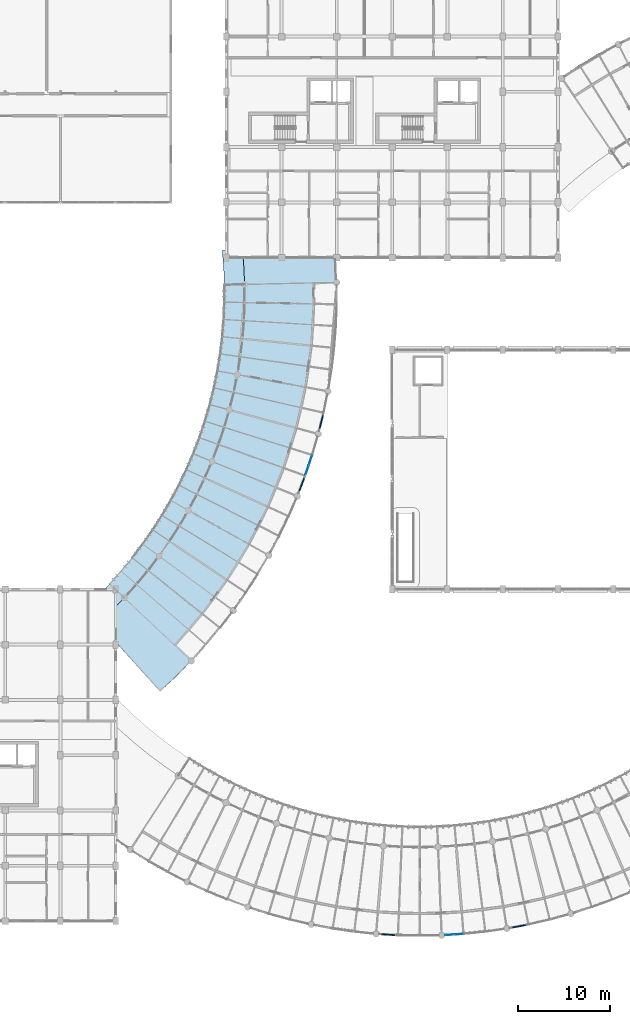
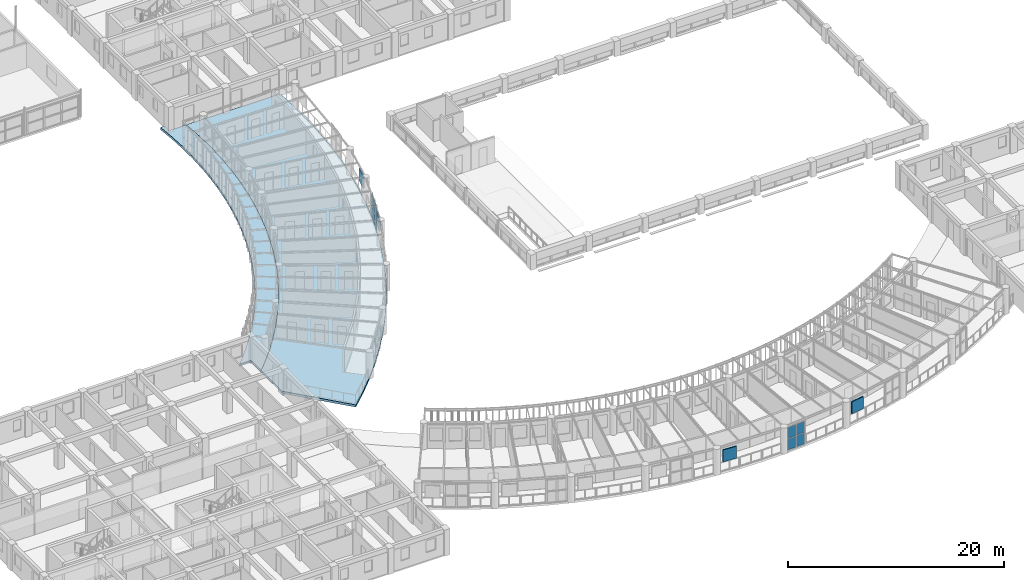
# One storey, part 76 of 137: 12 plates, 2 slabs, 2 elements without a shape of their own.
"""IFC4 building model written with IfcOpenShell, lengths in metres."""

from ifc_helpers import new_model, si_unit, direction, frame, origin, origin_2d, place, context, subcontext, project, spatial, polyline, rectangle, outline, extrude, material, layer, layer_set, type_object, element, aggregate, save


model = new_model("IFC4")

# Units and contexts
model_context = context("Model", 3, precision=1e-05, world=origin(), true_north=direction((0.0, 1.0)))
body_context = subcontext(model_context, "Body", "Model", "MODEL_VIEW")
ifc_project = project(units=[si_unit("LENGTHUNIT", "METRE"), si_unit("AREAUNIT", "SQUARE_METRE"), si_unit("VOLUMEUNIT", "CUBIC_METRE"), si_unit("PLANEANGLEUNIT", "RADIAN"), si_unit("MASSUNIT", "GRAM", prefix="KILO"), si_unit("POWERUNIT", "WATT"), si_unit("THERMODYNAMICTEMPERATUREUNIT", "KELVIN")], contexts=[model_context])

# Site, building, storey
site_placement = place(None, origin())
site = spatial("IfcSite", under=ifc_project, at=site_placement, CompositionType="ELEMENT")
building_placement = place(site_placement, origin())
building = spatial("IfcBuilding", under=site, at=building_placement, Name="Ruvembo Vaulted Housing Court", CompositionType="ELEMENT")
storey_placement = place(building_placement, frame((0.0, 0.0, 4.5)))
storey = spatial("IfcBuildingStorey", under=building, at=storey_placement, Name="L01", CompositionType="ELEMENT", Elevation=4.5)

# Curtain wall, plates
ifc_material_1 = material(Name="Anodised Aluminium and Solar-Control Glass", Category="aluminium")
ifc_layer_1 = layer(ifc_material_1, 0.139892578125, Name="Anodised Aluminium and Solar-Control Glass")
ifc_layer_set_1 = layer_set([ifc_layer_1], Name="Anodised Aluminium and Solar-Control Glass")
curtain_wall_type_1 = type_object("IfcCurtainWallType", Name="CW-SCOOP-PAN", PredefinedType="NOTDEFINED", material=ifc_layer_set_1)
curtain_wall_1_placement = place(storey_placement, origin())
curtain_wall_1 = element("IfcCurtainWall", 1, at=curtain_wall_1_placement, inside=storey, type_object=curtain_wall_type_1, Name="L01 Curtain Wall CW-L01-0011", PredefinedType="NOTDEFINED")
ifc_material_2 = material(Name="Solar-Control Laminated Insulating Glass", Category="glass")
ifc_layer_2 = layer(ifc_material_2, 0.028076171875, Name="Solar-Control Laminated Insulating Glass")
ifc_layer_set_2 = layer_set([ifc_layer_2], Name="Solar-Control Laminated Insulating Glass")
plate_type_1 = type_object("IfcPlateType", Name="CW-PANEL-GLAZED", PredefinedType="CURTAIN_PANEL", material=ifc_layer_set_2)
plate_1_placement = place(storey_placement, frame((56.764404296875, 54.927978515625, 0.06005859375), z_axis=(0.0, 0.0, 1.0), x_axis=(0.31983631808, 0.947472812083, 0.0)))
plate_1 = element("IfcPlate", 2, at=plate_1_placement, type_object=plate_type_1, Name="CW10 panel 1.1", PredefinedType="CURTAIN_PANEL", context=body_context, shape_type="SweptSolid", body=[
    extrude(rectangle(XDim=1.0556640625, YDim=0.028076171875, at=origin_2d()), origin(), (0.0, 0.0, 1.0), 1.259033203125),
])
plate_2_placement = place(storey_placement, frame((56.764404296875, 54.927978515625, 1.37890625), z_axis=(0.0, 0.0, 1.0), x_axis=(0.31983631808, 0.947472812083, 0.0)))
plate_2 = element("IfcPlate", 3, at=plate_2_placement, type_object=plate_type_1, Name="CW10 panel 1.2", PredefinedType="CURTAIN_PANEL", context=body_context, shape_type="SweptSolid", body=[
    extrude(rectangle(XDim=1.0556640625, YDim=0.028076171875, at=origin_2d()), origin(), (0.0, 0.0, 1.0), 1.259033203125),
])
plate_3_placement = place(storey_placement, frame((57.119873046875, 55.98046875, 0.06005859375), z_axis=(0.0, 0.0, 1.0), x_axis=(0.31983631808, 0.947472812083, 0.0)))
plate_3 = element("IfcPlate", 4, at=plate_3_placement, type_object=plate_type_1, Name="CW10 panel 2.1", PredefinedType="CURTAIN_PANEL", context=body_context, shape_type="SweptSolid", body=[
    extrude(rectangle(XDim=1.0556640625, YDim=0.028076171875, at=origin_2d()), origin(), (0.0, 0.0, 1.0), 1.259033203125),
])
plate_4_placement = place(storey_placement, frame((57.119873046875, 55.98046875, 1.37890625), z_axis=(0.0, 0.0, 1.0), x_axis=(0.31983631808, 0.947472812083, 0.0)))
plate_4 = element("IfcPlate", 5, at=plate_4_placement, type_object=plate_type_1, Name="CW10 panel 2.2", PredefinedType="CURTAIN_PANEL", context=body_context, shape_type="SweptSolid", body=[
    extrude(rectangle(XDim=1.0556640625, YDim=0.028076171875, at=origin_2d()), origin(), (0.0, 0.0, 1.0), 1.259033203125),
])
aggregate(curtain_wall_1, [plate_1, plate_2, plate_3, plate_4])

ifc_layer_3 = layer(ifc_material_1, 0.1201171875, Name="Anodised Aluminium and Solar-Control Glass")
ifc_layer_set_3 = layer_set([ifc_layer_3], Name="Anodised Aluminium and Solar-Control Glass")
curtain_wall_type_2 = type_object("IfcCurtainWallType", Name="CW-SCOOP-GAL", PredefinedType="NOTDEFINED", material=ifc_layer_set_3)
curtain_wall_2_placement = place(storey_placement, origin())
curtain_wall_2 = element("IfcCurtainWall", 6, at=curtain_wall_2_placement, inside=storey, type_object=curtain_wall_type_2, Name="L01 Curtain Wall CW-L01-0032", PredefinedType="NOTDEFINED")
plate_5_placement = place(storey_placement, frame((72.23291015625, 4.502197265625, 0.06005859375), z_axis=(0.0, 0.0, 1.0), x_axis=(0.998086104235, 0.061839538585, 0.0)))
plate_5 = element("IfcPlate", 7, at=plate_5_placement, type_object=plate_type_1, Name="CW6 panel 1.1", PredefinedType="CURTAIN_PANEL", context=body_context, shape_type="SweptSolid", body=[
    extrude(rectangle(XDim=0.89794921875, YDim=0.028076171875, at=origin_2d()), origin(), (0.0, 0.0, 1.0), 1.259033203125),
])
plate_6_placement = place(storey_placement, frame((72.23291015625, 4.502197265625, 1.37890625), z_axis=(0.0, 0.0, 1.0), x_axis=(0.998086104235, 0.061839538585, 0.0)))
plate_6 = element("IfcPlate", 8, at=plate_6_placement, type_object=plate_type_1, Name="CW6 panel 1.2", PredefinedType="CURTAIN_PANEL", context=body_context, shape_type="SweptSolid", body=[
    extrude(rectangle(XDim=0.89794921875, YDim=0.028076171875, at=origin_2d()), origin(), (0.0, 0.0, 1.0), 1.259033203125),
])
plate_7_placement = place(storey_placement, frame((73.18896484375, 4.561279296875, 0.06005859375), z_axis=(0.0, 0.0, 1.0), x_axis=(0.998086104235, 0.061839538585, 0.0)))
plate_7 = element("IfcPlate", 9, at=plate_7_placement, type_object=plate_type_1, Name="CW6 panel 2.1", PredefinedType="CURTAIN_PANEL", context=body_context, shape_type="SweptSolid", body=[
    extrude(rectangle(XDim=0.89794921875, YDim=0.028076171875, at=origin_2d()), origin(), (0.0, 0.0, 1.0), 1.259033203125),
])
plate_8_placement = place(storey_placement, frame((73.18896484375, 4.561279296875, 1.37890625), z_axis=(0.0, 0.0, 1.0), x_axis=(0.998086104235, 0.061839538585, 0.0)))
plate_8 = element("IfcPlate", 10, at=plate_8_placement, type_object=plate_type_1, Name="CW6 panel 2.2", PredefinedType="CURTAIN_PANEL", context=body_context, shape_type="SweptSolid", body=[
    extrude(rectangle(XDim=0.89794921875, YDim=0.028076171875, at=origin_2d()), origin(), (0.0, 0.0, 1.0), 1.259033203125),
])
aggregate(curtain_wall_2, [plate_5, plate_6, plate_7, plate_8])

# Plates
ifc_material_3 = material(Name="Perforated Glazed Ceramic Cobogo Block", Category="ceramic")
ifc_layer_4 = layer(ifc_material_3, 0.1201171875, Name="Perforated Glazed Ceramic Cobogo Block")
ifc_layer_set_4 = layer_set([ifc_layer_4], Name="Perforated Glazed Ceramic Cobogo Block")
plate_type_2 = type_object("IfcPlateType", Name="PL-COBOGO-120", PredefinedType="USERDEFINED", material=ifc_layer_set_4)
for number, where, z_axis, x_axis, name in (
    (11, (56.18994140625, 53.359130859375, 1.1201171875), (0.0, 0.0, 1.0), (0.358335361222, 0.93359293533, 0.0), "Scoop SC1 L01 Ceramic Cobogo Screen #4"),
    (12, (58.312255859375, 60.159912109375, 1.1201171875), (0.0, 0.0, 1.0), (0.241193628767, 0.970477013351, 0.0), "Scoop SC1 L01 Ceramic Cobogo Screen #5"),
    (13, (65.58837890625, 4.51318359375, 1.1201171875), (0.0, 0.0, 1.0), (0.998086543166, -0.061832453863, 0.0), "Scoop SC2 L01 Ceramic Cobogo Screen #35"),
    (14, (79.776611328125, 5.429443359375, 1.1201171875), (0.0, 0.0, 1.0), (0.982816353606, 0.184586064165, 0.0), "Scoop SC2 L01 Ceramic Cobogo Screen #36"),
):
    element("IfcPlate", number, at=place(storey_placement, frame(where, z_axis=z_axis, x_axis=x_axis)), inside=storey, type_object=plate_type_2, Name=name, ObjectType="COBOGO_PANEL", PredefinedType="USERDEFINED", context=body_context, shape_type="SweptSolid", body=[
        extrude(rectangle(XDim=1.39990234375, YDim=0.1201171875, at=origin_2d()), origin(), (0.0, 0.0, 1.0), 1.360107421875),
    ])

# Slabs
ifc_material_4 = material(Name="Concrete C35/45", Category="concrete")
ifc_layer_5 = layer(ifc_material_4, 0.251953125, Name="Concrete C35/45")
ifc_layer_set_5 = layer_set([ifc_layer_5], Name="Concrete C35/45")
slab_type = type_object("IfcSlabType", Name="SL-SCOOP-252", PredefinedType="FLOOR", material=ifc_layer_set_5)
slab_1_placement = place(storey_placement, frame((0.0, 0.0, -0.251953125)))
element("IfcSlab", 15, at=slab_1_placement, inside=storey, type_object=slab_type, Name="Scoop SC1 L01 Floor Slab", PredefinedType="FLOOR", context=body_context, shape_type="SweptSolid", body=[
    extrude(outline(polyline([(36.0, 40.13037109375), (36.0, 36.2392578125), (40.8095703125, 30.897705078125), (42.542724609375, 32.523681640625), (44.207763671875, 34.21923828125), (45.802001953125, 35.981689453125), (47.32275390625, 37.80810546875), (48.767333984375, 39.6953125), (50.13330078125, 41.639892578125), (51.418701171875, 43.638916015625), (52.620849609375, 45.688720703125), (53.73828125, 47.786376953125), (54.7685546875, 49.927734375), (55.71044921875, 52.109619140625), (56.56201171875, 54.328369140625), (57.322265625, 56.580078125), (57.989501953125, 58.861083984375), (58.5625, 61.16748046875), (59.040771484375, 63.495361328125), (59.423095703125, 65.8408203125), (59.709228515625, 68.199951171875), (59.8984375, 70.569091796875), (59.990478515625, 72.94384765625), (59.985107421875, 75.3203125), (59.882080078125, 77.694580078125), (59.8564453125, 78.0), (49.822998046875, 78.0), (49.902587890625, 77.0576171875), (49.987548828125, 75.092529296875), (49.991943359375, 73.1259765625), (49.916015625, 71.16064453125), (49.759521484375, 69.199951171875), (49.522705078125, 67.24755859375), (49.206298828125, 65.306396484375), (48.810302734375, 63.3798828125), (48.3359375, 61.47119140625), (47.783935546875, 59.58349609375), (47.15478515625, 57.719970703125), (46.449951171875, 55.8837890625), (45.670654296875, 54.078125), (44.81787109375, 52.305908203125), (43.89306640625, 50.570068359375), (42.898193359375, 48.87353515625), (41.83447265625, 47.21923828125), (40.7041015625, 45.60986328125), (39.50830078125, 44.048095703125), (38.25, 42.53662109375), (36.9306640625, 41.078125), (36.0, 40.13037109375)])), origin(), (0.0, 0.0, 1.0), 0.251953125),
])
slab_2_placement = place(storey_placement, frame((0.0, 0.0, -0.251953125)))
element("IfcSlab", 16, at=slab_2_placement, inside=storey, type_object=slab_type, Name="Scoop SC1 L01 Continuous Curved Balcony Slab", PredefinedType="FLOOR", context=body_context, shape_type="SweptSolid", body=[
    extrude(outline(polyline([(34.753173828125, 42.0), (36.0, 42.0), (36.0, 40.13037109375), (36.9306640625, 41.078125), (38.25, 42.53662109375), (39.50830078125, 44.048095703125), (40.7041015625, 45.60986328125), (41.83447265625, 47.21923828125), (42.898193359375, 48.87353515625), (43.89306640625, 50.570068359375), (44.81787109375, 52.305908203125), (45.670654296875, 54.078125), (46.449951171875, 55.8837890625), (47.15478515625, 57.719970703125), (47.783935546875, 59.58349609375), (48.3359375, 61.47119140625), (48.810302734375, 63.3798828125), (49.206298828125, 65.306396484375), (49.522705078125, 67.24755859375), (49.759521484375, 69.199951171875), (49.916015625, 71.16064453125), (49.991943359375, 73.1259765625), (49.987548828125, 75.092529296875), (49.902587890625, 77.0576171875), (49.822998046875, 78.0), (48.0, 78.0), (48.0, 78.834716796875), (47.549072265625, 78.787353515625), (47.70703125, 76.91748046875), (47.7880859375, 75.04248046875), (47.79248046875, 73.166015625), (47.7197265625, 71.290771484375), (47.5703125, 69.419921875), (47.344482421875, 67.556884765625), (47.04248046875, 65.704833984375), (46.664794921875, 63.86669921875), (46.21240234375, 62.04541015625), (45.685546875, 60.244140625), (45.085205078125, 58.46630859375), (44.41259765625, 56.714111328125), (43.6689453125, 54.9912109375), (42.855224609375, 53.30029296875), (41.972900390625, 51.643798828125), (41.023681640625, 50.025146484375), (40.0087890625, 48.446533203125), (38.929931640625, 46.910888671875), (37.789306640625, 45.4208984375), (36.58837890625, 43.978759765625), (35.32958984375, 42.5869140625), (34.753173828125, 42.0)])), origin(), (0.0, 0.0, 1.0), 0.251953125),
])

save(model, "model.ifc")
